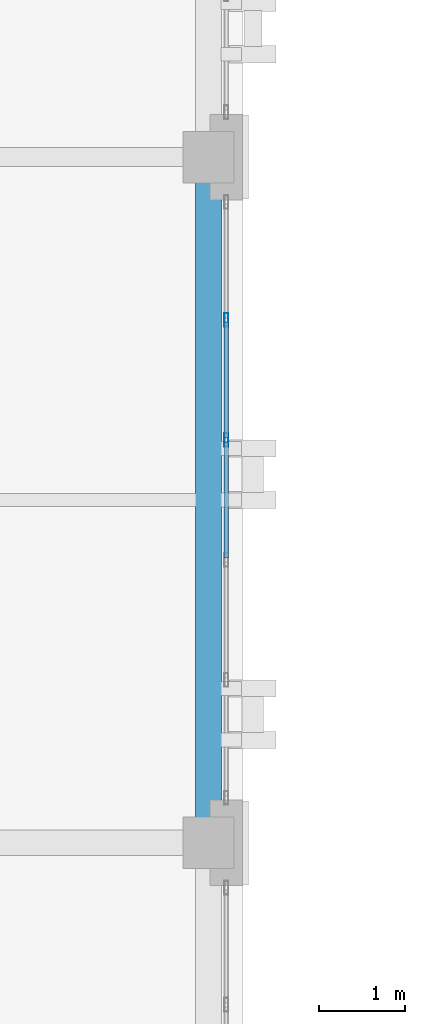
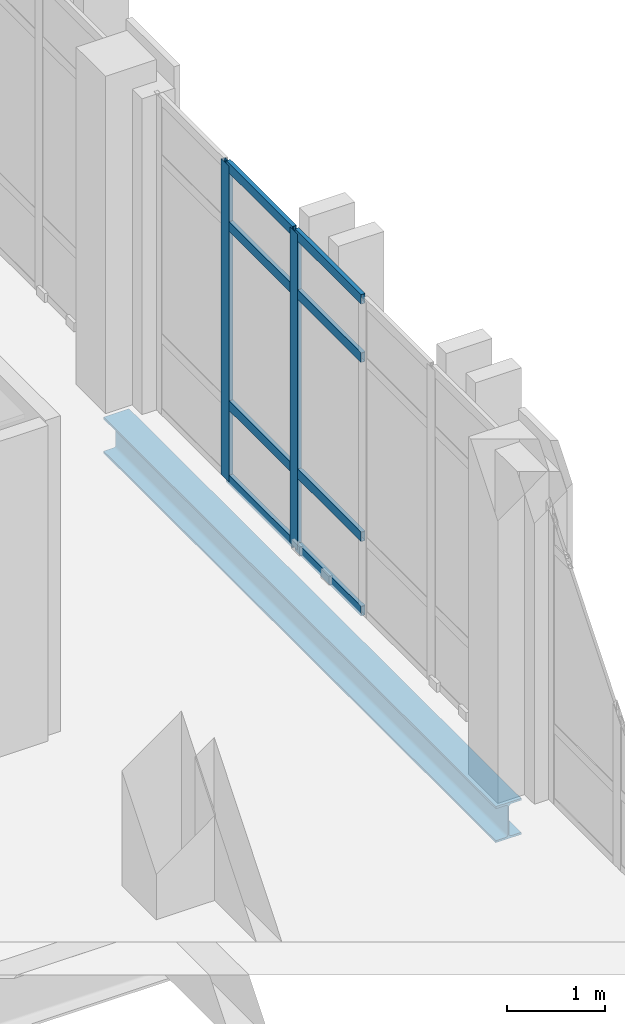
# One storey, part 8 of 90: 10 members, 1 beam, 1 element without a shape of its own.
"""IFC4 building model written with IfcOpenShell, lengths in metres."""

from ifc_helpers import new_model, si_unit, direction, frame, origin, origin_2d, place, context, subcontext, project, spatial, hollow_rectangle, i_section, extrude, material, layer, layer_set, material_profile, profile_set, type_object, element, aggregate, save


model = new_model("IFC4")

# Units and contexts
model_context = context("Model", 3, precision=1e-05, world=origin(), true_north=direction((0.0, 1.0)))
body_context = subcontext(model_context, "Body", "Model", "MODEL_VIEW")
ifc_project = project(units=[si_unit("LENGTHUNIT", "METRE"), si_unit("AREAUNIT", "SQUARE_METRE"), si_unit("VOLUMEUNIT", "CUBIC_METRE"), si_unit("PLANEANGLEUNIT", "RADIAN"), si_unit("MASSUNIT", "GRAM", prefix="KILO")], contexts=[model_context])

# Site, building, storey
site_placement = place(None, origin())
site = spatial("IfcSite", under=ifc_project, at=site_placement, CompositionType="ELEMENT")
building_placement = place(site_placement, origin())
building = spatial("IfcBuilding", under=site, at=building_placement, Name="Qalavern Law Courts", CompositionType="ELEMENT")
storey_placement = place(building_placement, frame((0.0, 0.0, 22.800048828125)))
storey = spatial("IfcBuildingStorey", under=building, at=storey_placement, Name="L05", CompositionType="ELEMENT", Elevation=22.800048828125)

# Curtain wall, members
ifc_material_1 = material(Name="Anodised aluminium and insulated glazing", Category="aluminium")
ifc_layer = layer(ifc_material_1, 0.159912109375)
ifc_layer_set = layer_set([ifc_layer], Name="Anodised aluminium and insulated glazing")
curtain_wall_type = type_object("IfcCurtainWallType", Name="ENV-CW-CHAMB", PredefinedType="USERDEFINED", material=ifc_layer_set)
curtain_wall_placement = place(storey_placement, origin())
curtain_wall = element("IfcCurtainWall", 1, at=curtain_wall_placement, inside=storey, type_object=curtain_wall_type, Name="V3 unitised curtain wall L05 east 2", ObjectType="UNITISED CURTAIN WALL", PredefinedType="USERDEFINED")
ifc_material_2 = material(Name="Anodised aluminium", Category="aluminium")
ifc_material_profile_1 = material_profile(ifc_material_2, hollow_rectangle(XDim=0.048095703125, YDim=0.159912109375, WallThickness=0.00390625, at=origin_2d()), Name="ALU MULLION 48x160")
ifc_profile_set_1 = profile_set([ifc_material_profile_1], Name="Anodised aluminium")
member_type_1 = type_object("IfcMemberType", Name="ENV-CWM-48x160", PredefinedType="MULLION", material=ifc_profile_set_1)
member_1_placement = place(storey_placement, frame((18.607421875, 54.10009765625, 0.0), z_axis=(0.0, 0.0, 1.0), x_axis=(-1.0, 0.0, 0.0)))
member_1 = element("IfcMember", 2, at=member_1_placement, type_object=member_type_1, Name="CW-04 mullion 4", PredefinedType="MULLION", context=body_context, shape_type="SweptSolid", body=[
    extrude(hollow_rectangle(XDim=0.048095703125, YDim=0.159912109375, WallThickness=0.00390625, at=origin_2d()), origin(), (0.0, 0.0, 1.0), 3.929931640625),
])
member_2_placement = place(storey_placement, frame((18.607421875, 55.5, 0.0), z_axis=(0.0, 0.0, 1.0), x_axis=(-1.0, 0.0, 0.0)))
member_2 = element("IfcMember", 3, at=member_2_placement, type_object=member_type_1, Name="CW-04 mullion 5", PredefinedType="MULLION", context=body_context, shape_type="SweptSolid", body=[
    extrude(hollow_rectangle(XDim=0.048095703125, YDim=0.159912109375, WallThickness=0.00390625, at=origin_2d()), origin(), (0.0, 0.0, 1.0), 3.929931640625),
])
ifc_material_profile_2 = material_profile(ifc_material_2, hollow_rectangle(XDim=0.048095703125, YDim=0.1201171875, WallThickness=0.00390625, at=origin_2d()), Name="ALU TRANSOM 48x120")
ifc_profile_set_2 = profile_set([ifc_material_profile_2], Name="Anodised aluminium")
member_type_2 = type_object("IfcMemberType", Name="ENV-CWT-48x120", PredefinedType="USERDEFINED", material=ifc_profile_set_2)
member_3_placement = place(storey_placement, frame((18.607421875, 52.72412109375, 0.02392578125), z_axis=(0.0, 1.0, 0.0), x_axis=(-1.0, 0.0, 0.0)))
member_3 = element("IfcMember", 4, at=member_3_placement, type_object=member_type_2, Name="CW-04 transom 3.1", ObjectType="TRANSOM", PredefinedType="USERDEFINED", context=body_context, shape_type="SweptSolid", body=[
    extrude(hollow_rectangle(XDim=0.048095703125, YDim=0.1201171875, WallThickness=0.00390625, at=origin_2d()), origin(), (0.0, 0.0, 1.0), 1.351806640625),
])
member_4_placement = place(storey_placement, frame((18.607421875, 52.72412109375, 0.949951171875), z_axis=(0.0, 1.0, 0.0), x_axis=(-1.0, 0.0, 0.0)))
member_4 = element("IfcMember", 5, at=member_4_placement, type_object=member_type_2, Name="CW-04 transom 3.2", ObjectType="TRANSOM", PredefinedType="USERDEFINED", context=body_context, shape_type="SweptSolid", body=[
    extrude(hollow_rectangle(XDim=0.048095703125, YDim=0.1201171875, WallThickness=0.00390625, at=origin_2d()), origin(), (0.0, 0.0, 1.0), 1.351806640625),
])
member_5_placement = place(storey_placement, frame((18.607421875, 52.72412109375, 3.179931640625), z_axis=(0.0, 1.0, 0.0), x_axis=(-1.0, 0.0, 0.0)))
member_5 = element("IfcMember", 6, at=member_5_placement, type_object=member_type_2, Name="CW-04 transom 3.3", ObjectType="TRANSOM", PredefinedType="USERDEFINED", context=body_context, shape_type="SweptSolid", body=[
    extrude(hollow_rectangle(XDim=0.048095703125, YDim=0.1201171875, WallThickness=0.00390625, at=origin_2d()), origin(), (0.0, 0.0, 1.0), 1.351806640625),
])
member_6_placement = place(storey_placement, frame((18.607421875, 52.72412109375, 3.906005859375), z_axis=(0.0, 1.0, 0.0), x_axis=(-1.0, 0.0, 0.0)))
member_6 = element("IfcMember", 7, at=member_6_placement, type_object=member_type_2, Name="CW-04 transom 3.4", ObjectType="TRANSOM", PredefinedType="USERDEFINED", context=body_context, shape_type="SweptSolid", body=[
    extrude(hollow_rectangle(XDim=0.048095703125, YDim=0.1201171875, WallThickness=0.00390625, at=origin_2d()), origin(), (0.0, 0.0, 1.0), 1.351806640625),
])
member_7_placement = place(storey_placement, frame((18.607421875, 54.1240234375, 0.02392578125), z_axis=(0.0, 1.0, 0.0), x_axis=(-1.0, 0.0, 0.0)))
member_7 = element("IfcMember", 8, at=member_7_placement, type_object=member_type_2, Name="CW-04 transom 4.1", ObjectType="TRANSOM", PredefinedType="USERDEFINED", context=body_context, shape_type="SweptSolid", body=[
    extrude(hollow_rectangle(XDim=0.048095703125, YDim=0.1201171875, WallThickness=0.00390625, at=origin_2d()), origin(), (0.0, 0.0, 1.0), 1.35205078125),
])
member_8_placement = place(storey_placement, frame((18.607421875, 54.1240234375, 0.949951171875), z_axis=(0.0, 1.0, 0.0), x_axis=(-1.0, 0.0, 0.0)))
member_8 = element("IfcMember", 9, at=member_8_placement, type_object=member_type_2, Name="CW-04 transom 4.2", ObjectType="TRANSOM", PredefinedType="USERDEFINED", context=body_context, shape_type="SweptSolid", body=[
    extrude(hollow_rectangle(XDim=0.048095703125, YDim=0.1201171875, WallThickness=0.00390625, at=origin_2d()), origin(), (0.0, 0.0, 1.0), 1.35205078125),
])
member_9_placement = place(storey_placement, frame((18.607421875, 54.1240234375, 3.179931640625), z_axis=(0.0, 1.0, 0.0), x_axis=(-1.0, 0.0, 0.0)))
member_9 = element("IfcMember", 10, at=member_9_placement, type_object=member_type_2, Name="CW-04 transom 4.3", ObjectType="TRANSOM", PredefinedType="USERDEFINED", context=body_context, shape_type="SweptSolid", body=[
    extrude(hollow_rectangle(XDim=0.048095703125, YDim=0.1201171875, WallThickness=0.00390625, at=origin_2d()), origin(), (0.0, 0.0, 1.0), 1.35205078125),
])
member_10_placement = place(storey_placement, frame((18.607421875, 54.1240234375, 3.906005859375), z_axis=(0.0, 1.0, 0.0), x_axis=(-1.0, 0.0, 0.0)))
member_10 = element("IfcMember", 11, at=member_10_placement, type_object=member_type_2, Name="CW-04 transom 4.4", ObjectType="TRANSOM", PredefinedType="USERDEFINED", context=body_context, shape_type="SweptSolid", body=[
    extrude(hollow_rectangle(XDim=0.048095703125, YDim=0.1201171875, WallThickness=0.00390625, at=origin_2d()), origin(), (0.0, 0.0, 1.0), 1.35205078125),
])
aggregate(curtain_wall, [member_1, member_2, member_3, member_4, member_5, member_6, member_7, member_8, member_9, member_10])

# Beam
ifc_material_3 = material(Name="Steel S355", Category="steel")
ifc_material_profile_3 = material_profile(ifc_material_3, i_section(OverallWidth=0.300048828125, OverallDepth=0.449951171875, WebThickness=0.013916015625, FlangeThickness=0.02587890625, FilletRadius=0.027099609375, at=origin_2d()), Name="HEB 450")
ifc_profile_set_3 = profile_set([ifc_material_profile_3], Name="Steel S355")
beam_type = type_object("IfcBeamType", Name="STR-SP-HEB450", PredefinedType="SPANDREL", material=ifc_profile_set_3)
beam_placement = place(storey_placement, frame((18.39990234375, 49.39990234375, -0.5), z_axis=(0.0, 1.0, 0.0), x_axis=(-1.0, 0.0, 0.0)))
element("IfcBeam", 12, at=beam_placement, inside=storey, type_object=beam_type, Name="V3 Y-beam 3-2 L05", PredefinedType="SPANDREL", context=body_context, shape_type="SweptSolid", body=[
    extrude(i_section(OverallWidth=0.300048828125, OverallDepth=0.449951171875, WebThickness=0.013916015625, FlangeThickness=0.02587890625, FilletRadius=0.027099609375, at=origin_2d()), origin(), (0.0, 0.0, 1.0), 8.0),
])

save(model, "model.ifc")
